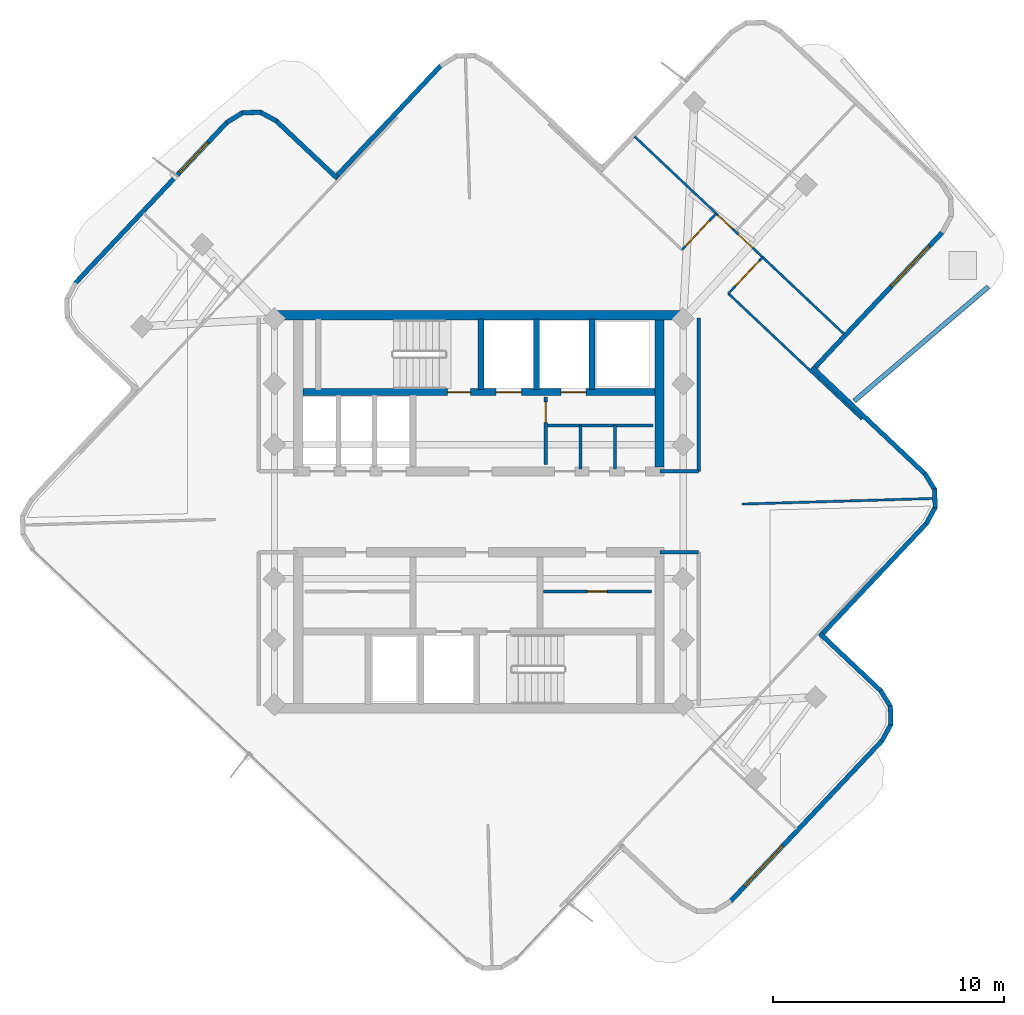
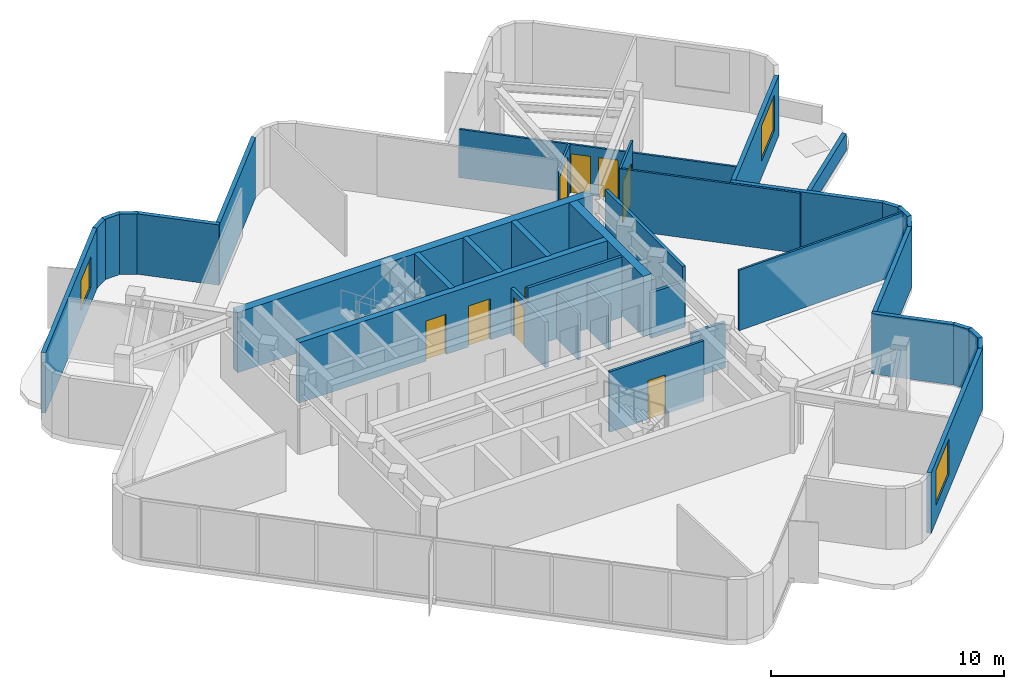
# One storey, part 7 of 10: 37 walls, 9 doors, 3 windows, 12 openings.
"""IFC4 building model written with IfcOpenShell, lengths in metres."""

from ifc_helpers import new_model, si_unit, direction, frame, frame_2d, origin, place, context, subcontext, project, spatial, rectangle, extrude, material, layer, layer_set, type_object, element, fill, save


model = new_model("IFC4")

# Units and contexts
model_context = context("Model", 3, precision=1e-05, world=origin(), true_north=direction((0.0, 1.0)))
body_context = subcontext(model_context, "Body", "Model", "MODEL_VIEW")
ifc_project = project(units=[si_unit("LENGTHUNIT", "METRE"), si_unit("AREAUNIT", "SQUARE_METRE"), si_unit("VOLUMEUNIT", "CUBIC_METRE"), si_unit("PLANEANGLEUNIT", "RADIAN"), si_unit("MASSUNIT", "GRAM", prefix="KILO")], contexts=[model_context])

# Site, building, storey
site_placement = place(None, origin())
site = spatial("IfcSite", under=ifc_project, at=site_placement, CompositionType="ELEMENT")
building_placement = place(site_placement, origin())
building = spatial("IfcBuilding", under=site, at=building_placement, Name="Solmarez Civic Tower", CompositionType="ELEMENT")
storey_placement = place(building_placement, frame((0.0, 0.0, 244.080078125)))
storey = spatial("IfcBuildingStorey", under=building, at=storey_placement, Name="L65", CompositionType="ELEMENT", Elevation=244.080078125)

# Walls
ifc_material_1 = material(Name="Concrete C50/60", Category="concrete")
ifc_layer_1 = layer(ifc_material_1, 0.39990234375)
ifc_layer_set_1 = layer_set([ifc_layer_1], Name="Concrete C50/60")
wall_type_1 = type_object("IfcWallType", Name="WALL-CORE-400", PredefinedType="SHEAR", material=ifc_layer_set_1)
wall_1_placement = place(storey_placement, frame((-8.780029296875, 8.510009765625, 0.0), z_axis=(0.0, 0.0, 1.0), x_axis=(1.0, 0.0, 0.0)))
element("IfcWall", 1, at=wall_1_placement, inside=storey, type_object=wall_type_1, Name="L65 Split-Core Structural Wall NCW-N-L65", PredefinedType="SHEAR", context=body_context, shape_type="SweptSolid", body=[
    extrude(rectangle(XDim=17.56005859375, YDim=0.39990234375, at=frame_2d((8.780029296875, 0.0))), origin(), (0.0, 0.0, 1.0), 3.159912109375),
])
wall_2_placement = place(storey_placement, frame((7.820068359375, 8.31005859375, 0.0), z_axis=(0.0, 0.0, 1.0), x_axis=(0.0, -1.0, 0.0)))
element("IfcWall", 2, at=wall_2_placement, inside=storey, type_object=wall_type_1, Name="L65 Split-Core Structural Wall NCW-E-L65", PredefinedType="SHEAR", context=body_context, shape_type="SweptSolid", body=[
    extrude(rectangle(XDim=6.360107421875, YDim=0.39990234375, at=frame_2d((3.18017578125, 0.0))), origin(), (0.0, 0.0, 1.0), 3.159912109375),
])

# Wall, opening, window
ifc_material_2 = material(Name="Precast concrete C40/50", Category="concrete")
ifc_layer_2 = layer(ifc_material_2, 0.199951171875)
ifc_layer_set_2 = layer_set([ifc_layer_2], Name="Precast concrete C40/50")
wall_type_2 = type_object("IfcWallType", Name="WALL-EXT-200", PredefinedType="SOLIDWALL", material=ifc_layer_set_2)
wall_3_placement = place(storey_placement, frame((-17.488037109375, 9.8779296875, 0.0), z_axis=(0.0, 0.0, 1.0), x_axis=(0.686075032126, 0.727530789928, 0.0)))
wall_3 = element("IfcWall", 3, at=wall_3_placement, inside=storey, type_object=wall_type_2, Name="L65 Exterior Precast Wall 17", PredefinedType="SOLIDWALL", context=body_context, shape_type="SweptSolid", body=[
    extrude(rectangle(XDim=9.623046875, YDim=0.199951171875, at=frame_2d((4.8115234375, 0.0))), origin(), (0.0, 0.0, 1.0), 3.159912109375),
])
opening_1_placement = place(wall_3_placement, frame((6.60595703125, 0.0, 0.85009765625)))
opening_1 = element("IfcOpeningElement", 4, at=opening_1_placement, cuts=wall_3, Name="Opening W-12", PredefinedType="OPENING", context=body_context, shape_type="SweptSolid", body=[
    extrude(rectangle(XDim=1.800048828125, YDim=1.60009765625, at=frame_2d((0.89990234375, 0.800048828125))), frame((0.0, 0.10986328125, 0.0), z_axis=(0.0, -1.0, 0.0), x_axis=(1.0, 0.0, 0.0)), (0.0, 0.0, 1.0), 0.219970703125),
])
ifc_material_3 = material(Name="Solar Control Bronze-Tinted Insulating Glass", Category="glass")
window_type_1 = type_object("IfcWindowType", Name="WIN-1800X1600", PartitioningType="SINGLE_PANEL", PredefinedType="WINDOW", material=ifc_material_3)
window_1_placement = place(opening_1_placement, origin())
window_1 = element("IfcWindow", 5, at=window_1_placement, inside=storey, type_object=window_type_1, Name="L65 Exterior Facade Window 17", OverallHeight=1.60009765625, OverallWidth=1.800048828125, PartitioningType="SINGLE_PANEL", PredefinedType="WINDOW", context=body_context, shape_type="SweptSolid", body=[
    extrude(rectangle(XDim=1.800048828125, YDim=1.60009765625, at=frame_2d((0.89990234375, 0.800048828125))), frame((0.0, 0.030029296875, 0.0), z_axis=(0.0, -1.0, 0.0), x_axis=(1.0, 0.0, 0.0)), (0.0, 0.0, 1.0), 0.06005859375),
])
fill(opening_1, window_1)

# Walls
wall_4_placement = place(storey_placement, frame((-10.924072265625, 16.847900390625, 0.0), z_axis=(0.0, 0.0, 1.0), x_axis=(0.850947362812, 0.525250974033, 0.0)))
element("IfcWall", 6, at=wall_4_placement, inside=storey, type_object=wall_type_2, Name="L65 Exterior Precast Wall 18", PredefinedType="SOLIDWALL", context=body_context, shape_type="SweptSolid", body=[
    extrude(rectangle(XDim=0.838134765625, YDim=0.199951171875, at=frame_2d((0.4189453125, 0.0))), origin(), (0.0, 0.0, 1.0), 3.159912109375),
])
wall_5_placement = place(storey_placement, frame((-10.257080078125, 17.27392578125, 0.0), z_axis=(0.0, 0.0, 1.0), x_axis=(0.999534635062, 0.03050431627, 0.0)))
element("IfcWall", 7, at=wall_5_placement, inside=storey, type_object=wall_type_2, Name="L65 Exterior Precast Wall 19", PredefinedType="SOLIDWALL", context=body_context, shape_type="SweptSolid", body=[
    extrude(rectangle(XDim=0.824462890625, YDim=0.199951171875, at=frame_2d((0.412109375, 0.0))), origin(), (0.0, 0.0, 1.0), 3.159912109375),
])
wall_6_placement = place(storey_placement, frame((-9.47998046875, 17.31005859375, 0.0), z_axis=(0.0, 0.0, 1.0), x_axis=(0.880199822755, -0.474603278561, 0.0)))
element("IfcWall", 8, at=wall_6_placement, inside=storey, type_object=wall_type_2, Name="L65 Exterior Precast Wall 20", PredefinedType="SOLIDWALL", context=body_context, shape_type="SweptSolid", body=[
    extrude(rectangle(XDim=0.83837890625, YDim=0.199951171875, at=frame_2d((0.419189453125, 0.0))), origin(), (0.0, 0.0, 1.0), 3.159912109375),
])
wall_7_placement = place(storey_placement, frame((-8.781982421875, 16.94091796875, 0.0), z_axis=(0.0, 0.0, 1.0), x_axis=(0.727388601412, -0.686225781019, 0.0)))
element("IfcWall", 9, at=wall_7_placement, inside=storey, type_object=wall_type_2, Name="L65 Exterior Precast Wall 21", PredefinedType="SOLIDWALL", context=body_context, shape_type="SweptSolid", body=[
    extrude(rectangle(XDim=3.6416015625, YDim=0.199951171875, at=frame_2d((1.82080078125, 0.0))), origin(), (0.0, 0.0, 1.0), 3.159912109375),
])
wall_8_placement = place(storey_placement, frame((-6.24609375, 14.43896484375, 0.0), z_axis=(0.0, 0.0, 1.0), x_axis=(0.686109803758, 0.727497998064, 0.0)))
element("IfcWall", 10, at=wall_8_placement, inside=storey, type_object=wall_type_2, Name="L65 Exterior Precast Wall 24", PredefinedType="SOLIDWALL", context=body_context, shape_type="SweptSolid", body=[
    extrude(rectangle(XDim=6.742431640625, YDim=0.199951171875, at=frame_2d((3.37109375, 0.0))), origin(), (0.0, 0.0, 1.0), 3.159912109375),
])

# Wall, opening, window
wall_9_placement = place(storey_placement, frame((20.096923828125, 12.1279296875, 0.0), z_axis=(0.0, 0.0, 1.0), x_axis=(-0.686187598971, -0.72742462085, 0.0)))
wall_9 = element("IfcWall", 11, at=wall_9_placement, inside=storey, type_object=wall_type_2, Name="L65 Exterior Precast Wall 39", PredefinedType="SOLIDWALL", context=body_context, shape_type="SweptSolid", body=[
    extrude(rectangle(XDim=8.2412109375, YDim=0.199951171875, at=frame_2d((4.12060546875, 0.0))), origin(), (0.0, 0.0, 1.0), 3.159912109375),
])
opening_2_placement = place(wall_9_placement, frame((0.85009765625, 0.0, 0.85009765625)))
opening_2 = element("IfcOpeningElement", 12, at=opening_2_placement, cuts=wall_9, Name="Opening W-06", PredefinedType="OPENING", context=body_context, shape_type="SweptSolid", body=[
    extrude(rectangle(XDim=2.39990234375, YDim=1.85009765625, at=frame_2d((1.199951171875, 0.925048828125))), frame((0.0, 0.10986328125, 0.0), z_axis=(0.0, -1.0, 0.0), x_axis=(1.0, 0.0, 0.0)), (0.0, 0.0, 1.0), 0.219970703125),
])
window_type_2 = type_object("IfcWindowType", Name="WIN-2400X1850", PartitioningType="SINGLE_PANEL", PredefinedType="WINDOW", material=ifc_material_3)
window_2_placement = place(opening_2_placement, origin())
window_2 = element("IfcWindow", 13, at=window_2_placement, inside=storey, type_object=window_type_2, Name="L65 Exterior Facade Window 39", OverallHeight=1.85009765625, OverallWidth=2.39990234375, PartitioningType="SINGLE_PANEL", PredefinedType="WINDOW", context=body_context, shape_type="SweptSolid", body=[
    extrude(rectangle(XDim=2.39990234375, YDim=1.85009765625, at=frame_2d((1.199951171875, 0.925048828125))), frame((0.0, 0.030029296875, 0.0), z_axis=(0.0, -1.0, 0.0), x_axis=(1.0, 0.0, 0.0)), (0.0, 0.0, 1.0), 0.06005859375),
])
fill(opening_2, window_2)

# Walls
wall_10_placement = place(storey_placement, frame((14.43896484375, 6.24609375, 0.0), z_axis=(0.0, 0.0, 1.0), x_axis=(0.727497998064, -0.686109803758, 0.0)))
element("IfcWall", 14, at=wall_10_placement, inside=storey, type_object=wall_type_2, Name="L65 Exterior Precast Wall 42", PredefinedType="SOLIDWALL", context=body_context, shape_type="SweptSolid", body=[
    extrude(rectangle(XDim=6.742431640625, YDim=0.199951171875, at=frame_2d((3.37109375, 0.0))), origin(), (0.0, 0.0, 1.0), 3.159912109375),
])
wall_11_placement = place(storey_placement, frame((19.31298828125, 1.657958984375, 0.0), z_axis=(0.0, 0.0, 1.0), x_axis=(0.52517019965, -0.850997215859, 0.0)))
element("IfcWall", 15, at=wall_11_placement, inside=storey, type_object=wall_type_2, Name="L65 Exterior Precast Wall 43", PredefinedType="SOLIDWALL", context=body_context, shape_type="SweptSolid", body=[
    extrude(rectangle(XDim=0.837646484375, YDim=0.199951171875, at=frame_2d((0.4189453125, 0.0))), origin(), (0.0, 0.0, 1.0), 3.159912109375),
])
wall_12_placement = place(storey_placement, frame((19.739013671875, 0.990966796875, 0.0), z_axis=(0.0, 0.0, 1.0), x_axis=(0.029024803491, -0.999578691641, 0.0)))
element("IfcWall", 16, at=wall_12_placement, inside=storey, type_object=wall_type_2, Name="L65 Exterior Precast Wall 44", PredefinedType="SOLIDWALL", context=body_context, shape_type="SweptSolid", body=[
    extrude(rectangle(XDim=0.82421875, YDim=0.199951171875, at=frame_2d((0.412109375, 0.0))), origin(), (0.0, 0.0, 1.0), 3.159912109375),
])
wall_13_placement = place(storey_placement, frame((19.77392578125, 0.214111328125, 0.0), z_axis=(0.0, 0.0, 1.0), x_axis=(-0.474603278561, -0.880199822755, 0.0)))
element("IfcWall", 17, at=wall_13_placement, inside=storey, type_object=wall_type_2, Name="L65 Exterior Precast Wall 45", PredefinedType="SOLIDWALL", context=body_context, shape_type="SweptSolid", body=[
    extrude(rectangle(XDim=0.83837890625, YDim=0.199951171875, at=frame_2d((0.419189453125, 0.0))), origin(), (0.0, 0.0, 1.0), 3.159912109375),
])
wall_14_placement = place(storey_placement, frame((19.405029296875, -0.48388671875, 0.0), z_axis=(0.0, 0.0, 1.0), x_axis=(-0.686028756372, -0.727574426042, 0.0)))
element("IfcWall", 18, at=wall_14_placement, inside=storey, type_object=wall_type_2, Name="L65 Exterior Precast Wall 46", PredefinedType="SOLIDWALL", context=body_context, shape_type="SweptSolid", body=[
    extrude(rectangle(XDim=6.740234375, YDim=0.199951171875, at=frame_2d((3.3701171875, 0.0))), origin(), (0.0, 0.0, 1.0), 3.159912109375),
])
wall_15_placement = place(storey_placement, frame((14.778076171875, -5.27490234375, 0.0), z_axis=(0.0, 0.0, 1.0), x_axis=(0.727262285553, -0.686359649172, 0.0)))
element("IfcWall", 19, at=wall_15_placement, inside=storey, type_object=wall_type_2, Name="L65 Exterior Precast Wall 49", PredefinedType="SOLIDWALL", context=body_context, shape_type="SweptSolid", body=[
    extrude(rectangle(XDim=3.640869140625, YDim=0.199951171875, at=frame_2d((1.8203125, 0.0))), origin(), (0.0, 0.0, 1.0), 3.159912109375),
])
wall_16_placement = place(storey_placement, frame((17.39501953125, -7.736083984375, 0.0), z_axis=(0.0, 0.0, 1.0), x_axis=(0.52517019965, -0.850997215859, 0.0)))
element("IfcWall", 20, at=wall_16_placement, inside=storey, type_object=wall_type_2, Name="L65 Exterior Precast Wall 50", PredefinedType="SOLIDWALL", context=body_context, shape_type="SweptSolid", body=[
    extrude(rectangle(XDim=0.837646484375, YDim=0.199951171875, at=frame_2d((0.4189453125, 0.0))), origin(), (0.0, 0.0, 1.0), 3.159912109375),
])
wall_17_placement = place(storey_placement, frame((17.821044921875, -8.403076171875, 0.0), z_axis=(0.0, 0.0, 1.0), x_axis=(0.030208429442, -0.999543621255, 0.0)))
element("IfcWall", 21, at=wall_17_placement, inside=storey, type_object=wall_type_2, Name="L65 Exterior Precast Wall 51", PredefinedType="SOLIDWALL", context=body_context, shape_type="SweptSolid", body=[
    extrude(rectangle(XDim=0.824462890625, YDim=0.199951171875, at=frame_2d((0.412109375, 0.0))), origin(), (0.0, 0.0, 1.0), 3.159912109375),
])
wall_18_placement = place(storey_placement, frame((17.85693359375, -9.179931640625, 0.0), z_axis=(0.0, 0.0, 1.0), x_axis=(-0.474603278561, -0.880199822755, 0.0)))
element("IfcWall", 22, at=wall_18_placement, inside=storey, type_object=wall_type_2, Name="L65 Exterior Precast Wall 52", PredefinedType="SOLIDWALL", context=body_context, shape_type="SweptSolid", body=[
    extrude(rectangle(XDim=0.83837890625, YDim=0.199951171875, at=frame_2d((0.419189453125, 0.0))), origin(), (0.0, 0.0, 1.0), 3.159912109375),
])

# Wall, opening, window
wall_19_placement = place(storey_placement, frame((17.488037109375, -9.8779296875, 0.0), z_axis=(0.0, 0.0, 1.0), x_axis=(-0.686075032126, -0.727530789928, 0.0)))
wall_19 = element("IfcWall", 23, at=wall_19_placement, inside=storey, type_object=wall_type_2, Name="L65 Exterior Precast Wall 53", PredefinedType="SOLIDWALL", context=body_context, shape_type="SweptSolid", body=[
    extrude(rectangle(XDim=9.623046875, YDim=0.199951171875, at=frame_2d((4.8115234375, 0.0))), origin(), (0.0, 0.0, 1.0), 3.159912109375),
])
opening_3_placement = place(wall_19_placement, frame((6.305908203125, 0.0, 0.85009765625)))
opening_3 = element("IfcOpeningElement", 24, at=opening_3_placement, cuts=wall_19, Name="Opening W-06", PredefinedType="OPENING", context=body_context, shape_type="SweptSolid", body=[
    extrude(rectangle(XDim=2.39990234375, YDim=1.85009765625, at=frame_2d((1.199951171875, 0.925048828125))), frame((0.0, 0.10986328125, 0.0), z_axis=(0.0, -1.0, 0.0), x_axis=(1.0, 0.0, 0.0)), (0.0, 0.0, 1.0), 0.219970703125),
])
window_3_placement = place(opening_3_placement, origin())
window_3 = element("IfcWindow", 25, at=window_3_placement, inside=storey, type_object=window_type_2, Name="L65 Exterior Facade Window 53", OverallHeight=1.85009765625, OverallWidth=2.39990234375, PartitioningType="SINGLE_PANEL", PredefinedType="WINDOW", context=body_context, shape_type="SweptSolid", body=[
    extrude(rectangle(XDim=2.39990234375, YDim=1.85009765625, at=frame_2d((1.199951171875, 0.925048828125))), frame((0.0, 0.030029296875, 0.0), z_axis=(0.0, -1.0, 0.0), x_axis=(1.0, 0.0, 0.0)), (0.0, 0.0, 1.0), 0.06005859375),
])
fill(opening_3, window_3)

# Walls
ifc_material_4 = material(Name="Gypsum Board Acoustic Steel-Stud Partition", Category="steel")
ifc_layer_3 = layer(ifc_material_4, 0.14990234375)
ifc_layer_set_3 = layer_set([ifc_layer_3], Name="Gypsum Board Acoustic Steel-Stud Partition")
wall_type_3 = type_object("IfcWallType", Name="WALL-INT-FIRE-150", PredefinedType="PARTITIONING", material=ifc_layer_set_3)
wall_20_placement = place(storey_placement, frame((9.52001953125, 1.75, 0.0), z_axis=(0.0, 0.0, 1.0), x_axis=(0.0, 1.0, 0.0)))
element("IfcWall", 26, at=wall_20_placement, inside=storey, type_object=wall_type_3, Name="L65 Interior Partition CHW-L65-EN1", PredefinedType="PARTITIONING", context=body_context, shape_type="SweptSolid", body=[
    extrude(rectangle(XDim=6.6298828125, YDim=0.14990234375, at=frame_2d((3.31494140625, 0.0))), origin(), (0.0, 0.0, 1.0), 3.159912109375),
])
for number, where, z_axis, x_axis, name in (
    (27, (7.85009765625, 1.75, 0.0), (0.0, 0.0, 1.0), (1.0, 0.0, 0.0), "L65 Interior Partition CHW-L65-EN3"),
    (28, (7.85009765625, -1.75, 0.0), (0.0, 0.0, 1.0), (1.0, 0.0, 0.0), "L65 Interior Partition CHW-L65-ES3"),
):
    element("IfcWall", number, at=place(storey_placement, frame(where, z_axis=z_axis, x_axis=x_axis)), inside=storey, type_object=wall_type_3, Name=name, PredefinedType="PARTITIONING", context=body_context, shape_type="SweptSolid", body=[
        extrude(rectangle(XDim=1.669921875, YDim=0.14990234375, at=frame_2d((0.8349609375, 0.0))), origin(), (0.0, 0.0, 1.0), 2.389892578125),
    ])
ifc_layer_4 = layer(ifc_material_4, 0.10009765625)
ifc_layer_set_4 = layer_set([ifc_layer_4], Name="Gypsum Board Acoustic Steel-Stud Partition")
wall_type_4 = type_object("IfcWallType", Name="WALL-INT-PART-100", PredefinedType="PARTITIONING", material=ifc_layer_set_4)
wall_21_placement = place(storey_placement, frame((11.39501953125, 0.333984375, 0.0), z_axis=(0.0, 0.0, 1.0), x_axis=(0.999571055306, 0.029286607775, 0.0)))
element("IfcWall", 29, at=wall_21_placement, inside=storey, type_object=wall_type_4, Name="L65 Interior Partition PT-L65-QDIV-4", PredefinedType="PARTITIONING", context=body_context, shape_type="SweptSolid", body=[
    extrude(rectangle(XDim=8.294677734375, YDim=0.10009765625, at=frame_2d((4.1474609375, 0.0))), origin(), (0.0, 0.0, 1.0), 3.159912109375),
])
wall_22_placement = place(storey_placement, frame((16.5849609375, 4.001953125, 0.0), z_axis=(0.0, 0.0, 1.0), x_axis=(-0.727485611578, 0.686122937196, 0.0)))
element("IfcWall", 30, at=wall_22_placement, inside=storey, type_object=wall_type_4, Name="L65 Interior Partition PT-L65-E-EFR", PredefinedType="PARTITIONING", context=body_context, shape_type="SweptSolid", body=[
    extrude(rectangle(XDim=7.95068359375, YDim=0.10009765625, at=frame_2d((3.975341796875, 0.0))), origin(), (0.0, 0.0, 1.0), 3.159912109375),
])

# Wall, opening, door
wall_23_placement = place(storey_placement, frame((10.281982421875, 12.9150390625, 0.0), z_axis=(0.0, 0.0, 1.0), x_axis=(-0.685949623464, -0.727649032205, 0.0)))
wall_23 = element("IfcWall", 31, at=wall_23_placement, inside=storey, type_object=wall_type_4, Name="L65 Interior Partition PT-L65-E-SL", PredefinedType="PARTITIONING", context=body_context, shape_type="SweptSolid", body=[
    extrude(rectangle(XDim=2.160400390625, YDim=0.10009765625, at=frame_2d((1.080078125, 0.0))), origin(), (0.0, 0.0, 1.0), 2.530029296875),
])
opening_4_placement = place(wall_23_placement, frame((0.43994140625, 0.0, 0.0)))
opening_4 = element("IfcOpeningElement", 32, at=opening_4_placement, cuts=wall_23, Name="Opening D-16", PredefinedType="OPENING", context=body_context, shape_type="SweptSolid", body=[
    extrude(rectangle(XDim=1.5, YDim=2.1201171875, at=frame_2d((0.75, 1.06005859375))), frame((0.0, 0.06005859375, 0.0), z_axis=(0.0, -1.0, 0.0), x_axis=(1.0, 0.0, 0.0)), (0.0, 0.0, 1.0), 0.1201171875),
])
ifc_material_5 = material(Name="Diplomatic Protocol Reception Door", Category="wood")
door_type_1 = type_object("IfcDoorType", Name="DOOR-INT-1500", OperationType="NOTDEFINED", PredefinedType="DOOR", material=ifc_material_5)
door_1_placement = place(opening_4_placement, origin())
door_1 = element("IfcDoor", 33, at=door_1_placement, inside=storey, type_object=door_type_1, Name="L65 Executive Chamber Public Reception Room East Door", OperationType="SINGLE_SWING_LEFT", OverallHeight=2.1201171875, OverallWidth=1.5, PredefinedType="DOOR", context=body_context, shape_type="SweptSolid", body=[
    extrude(rectangle(XDim=1.5, YDim=2.1201171875, at=frame_2d((0.75, 1.06005859375))), frame((0.0, 0.02490234375, 0.0), z_axis=(0.0, -1.0, 0.0), x_axis=(1.0, 0.0, 0.0)), (0.0, 0.0, 1.0), 0.050048828125),
])
fill(opening_4, door_1)

wall_24_placement = place(storey_placement, frame((10.80810546875, 9.449951171875, 0.0), z_axis=(0.0, 0.0, 1.0), x_axis=(0.686175284747, 0.727436236795, 0.0)))
wall_24 = element("IfcWall", 34, at=wall_24_placement, inside=storey, type_object=wall_type_4, Name="L65 Interior Partition PT-L65-E-SR", PredefinedType="PARTITIONING", context=body_context, shape_type="SweptSolid", body=[
    extrude(rectangle(XDim=2.15966796875, YDim=0.10009765625, at=frame_2d((1.079833984375, 0.0))), origin(), (0.0, 0.0, 1.0), 3.159912109375),
])
opening_5_placement = place(wall_24_placement, frame((0.43994140625, 0.0, 0.0)))
opening_5 = element("IfcOpeningElement", 35, at=opening_5_placement, cuts=wall_24, Name="Opening D-16", PredefinedType="OPENING", context=body_context, shape_type="SweptSolid", body=[
    extrude(rectangle(XDim=1.5, YDim=2.1201171875, at=frame_2d((0.75, 1.06005859375))), frame((0.0, 0.06005859375, 0.0), z_axis=(0.0, -1.0, 0.0), x_axis=(1.0, 0.0, 0.0)), (0.0, 0.0, 1.0), 0.1201171875),
])
door_2_placement = place(opening_5_placement, origin())
door_2 = element("IfcDoor", 36, at=door_2_placement, inside=storey, type_object=door_type_1, Name="L65 Delegation Concierge Room East Door", OperationType="SINGLE_SWING_RIGHT", OverallHeight=2.1201171875, OverallWidth=1.5, PredefinedType="DOOR", context=body_context, shape_type="SweptSolid", body=[
    extrude(rectangle(XDim=1.5, YDim=2.1201171875, at=frame_2d((0.75, 1.06005859375))), frame((0.0, 0.02490234375, 0.0), z_axis=(0.0, -1.0, 0.0), x_axis=(1.0, 0.0, 0.0)), (0.0, 0.0, 1.0), 0.050048828125),
])
fill(opening_5, door_2)

# Wall, openings, doors
wall_25_placement = place(storey_placement, frame((6.75, 16.24609375, 0.0), z_axis=(0.0, 0.0, 1.0), x_axis=(0.727488049341, -0.686120352464, 0.0)))
wall_25 = element("IfcWall", 37, at=wall_25_placement, inside=storey, type_object=wall_type_4, Name="L65 Interior Partition PT-L65-E-END", PredefinedType="PARTITIONING", context=body_context, shape_type="SweptSolid", body=[
    extrude(rectangle(XDim=12.470458984375, YDim=0.10009765625, at=frame_2d((6.2353515625, 0.0))), origin(), (0.0, 0.0, 1.0), 2.530029296875),
])
opening_6_placement = place(wall_25_placement, frame((6.155029296875, 0.0, 0.0)))
opening_6 = element("IfcOpeningElement", 38, at=opening_6_placement, cuts=wall_25, Name="Opening D-14", PredefinedType="OPENING", context=body_context, shape_type="SweptSolid", body=[
    extrude(rectangle(XDim=0.860107421875, YDim=2.0400390625, at=frame_2d((0.43017578125, 1.02001953125))), frame((0.0, 0.06005859375, 0.0), z_axis=(0.0, -1.0, 0.0), x_axis=(1.0, 0.0, 0.0)), (0.0, 0.0, 1.0), 0.1201171875),
])
opening_7_placement = place(wall_25_placement, frame((4.955078125, 0.0, 0.0)))
opening_7 = element("IfcOpeningElement", 39, at=opening_7_placement, cuts=wall_25, Name="Opening D-14", PredefinedType="OPENING", context=body_context, shape_type="SweptSolid", body=[
    extrude(rectangle(XDim=0.860107421875, YDim=2.0400390625, at=frame_2d((0.43017578125, 1.02001953125))), frame((0.0, 0.06005859375, 0.0), z_axis=(0.0, -1.0, 0.0), x_axis=(1.0, 0.0, 0.0)), (0.0, 0.0, 1.0), 0.1201171875),
])
ifc_material_6 = material(Name="Timber Storage and Pantry Door", Category="wood")
door_type_2 = type_object("IfcDoorType", Name="DOOR-INT-850", OperationType="NOTDEFINED", PredefinedType="DOOR", material=ifc_material_6)
door_3_placement = place(opening_6_placement, origin())
door_3 = element("IfcDoor", 40, at=door_3_placement, inside=storey, type_object=door_type_2, Name="L65 Ministry Conference Room Sixth East Door", OperationType="SINGLE_SWING_RIGHT", OverallHeight=2.0400390625, OverallWidth=0.860107421875, PredefinedType="DOOR", context=body_context, shape_type="SweptSolid", body=[
    extrude(rectangle(XDim=0.860107421875, YDim=2.0400390625, at=frame_2d((0.43017578125, 1.02001953125))), frame((0.0, 0.02490234375, 0.0), z_axis=(0.0, -1.0, 0.0), x_axis=(1.0, 0.0, 0.0)), (0.0, 0.0, 1.0), 0.050048828125),
])
fill(opening_6, door_3)
door_4_placement = place(opening_7_placement, origin())
door_4 = element("IfcDoor", 41, at=door_4_placement, inside=storey, type_object=door_type_2, Name="L65 Security Control Room Fifth East Door", OperationType="SINGLE_SWING_LEFT", OverallHeight=2.0400390625, OverallWidth=0.860107421875, PredefinedType="DOOR", context=body_context, shape_type="SweptSolid", body=[
    extrude(rectangle(XDim=0.860107421875, YDim=2.0400390625, at=frame_2d((0.43017578125, 1.02001953125))), frame((0.0, 0.02490234375, 0.0), z_axis=(0.0, -1.0, 0.0), x_axis=(1.0, 0.0, 0.0)), (0.0, 0.0, 1.0), 0.050048828125),
])
fill(opening_7, door_4)

# Wall, opening, door
ifc_layer_5 = layer(ifc_material_4, 0.1201171875)
ifc_layer_set_5 = layer_set([ifc_layer_5], Name="Gypsum Board Acoustic Steel-Stud Partition")
wall_type_5 = type_object("IfcWallType", Name="WALL-INT-PART-120", PredefinedType="PARTITIONING", material=ifc_layer_set_5)
wall_26_placement = place(storey_placement, frame((2.800048828125, -3.449951171875, 0.0), z_axis=(0.0, 0.0, 1.0), x_axis=(1.0, 0.0, 0.0)))
wall_26 = element("IfcWall", 42, at=wall_26_placement, inside=storey, type_object=wall_type_5, Name="L65 Interior Partition PT-FPLL-L65", PredefinedType="PARTITIONING", context=body_context, shape_type="SweptSolid", body=[
    extrude(rectangle(XDim=4.679931640625, YDim=0.1201171875, at=frame_2d((2.33984375, 0.0))), origin(), (0.0, 0.0, 1.0), 3.159912109375),
])
opening_8_placement = place(wall_26_placement, frame((1.89990234375, 0.0, 0.0)))
opening_8 = element("IfcOpeningElement", 43, at=opening_8_placement, cuts=wall_26, Name="Opening D-14", PredefinedType="OPENING", context=body_context, shape_type="SweptSolid", body=[
    extrude(rectangle(XDim=0.860107421875, YDim=2.0400390625, at=frame_2d((0.43017578125, 1.02001953125))), frame((0.0, 0.070068359375, 0.0), z_axis=(0.0, -1.0, 0.0), x_axis=(1.0, 0.0, 0.0)), (0.0, 0.0, 1.0), 0.14013671875),
])
door_5_placement = place(opening_8_placement, origin())
door_5 = element("IfcDoor", 44, at=door_5_placement, inside=storey, type_object=door_type_2, Name="L65 Records Filing Room Door", OperationType="SINGLE_SWING_LEFT", OverallHeight=2.0400390625, OverallWidth=0.860107421875, PredefinedType="DOOR", context=body_context, shape_type="SweptSolid", body=[
    extrude(rectangle(XDim=0.860107421875, YDim=2.0400390625, at=frame_2d((0.43017578125, 1.02001953125))), frame((0.0, 0.02490234375, 0.0), z_axis=(0.0, -1.0, 0.0), x_axis=(1.0, 0.0, 0.0)), (0.0, 0.0, 1.0), 0.050048828125),
])
fill(opening_8, door_5)

ifc_layer_6 = layer(ifc_material_4, 0.159912109375)
ifc_layer_set_6 = layer_set([ifc_layer_6], Name="Gypsum Board Acoustic Steel-Stud Partition")
wall_type_6 = type_object("IfcWallType", Name="WALL-INT-SHAFT-160", PredefinedType="PARTITIONING", material=ifc_layer_set_6)
wall_27_placement = place(storey_placement, frame((2.89990234375, 2.0400390625, 0.0), z_axis=(0.0, 0.0, 1.0), x_axis=(0.0, 1.0, 0.0)))
wall_27 = element("IfcWall", 45, at=wall_27_placement, inside=storey, type_object=wall_type_6, Name="L65 Interior Partition SHW-NL2-L65", PredefinedType="PARTITIONING", context=body_context, shape_type="SweptSolid", body=[
    extrude(rectangle(XDim=2.93994140625, YDim=0.159912109375, at=frame_2d((1.469970703125, 0.0))), origin(), (0.0, 0.0, 1.0), 2.389892578125),
])
opening_9_placement = place(wall_27_placement, frame((1.820068359375, 0.0, 0.0)))
opening_9 = element("IfcOpeningElement", 46, at=opening_9_placement, cuts=wall_27, Name="Opening D-09", PredefinedType="OPENING", context=body_context, shape_type="SweptSolid", body=[
    extrude(rectangle(XDim=0.89990234375, YDim=2.06005859375, at=frame_2d((0.449951171875, 1.030029296875))), frame((0.0, 0.08984375, 0.0), z_axis=(0.0, -1.0, 0.0), x_axis=(1.0, 0.0, 0.0)), (0.0, 0.0, 1.0), 0.179931640625),
])
ifc_material_7 = material(Name="Fire-Rated Service Core Door", Category="wood")
door_type_3 = type_object("IfcDoorType", Name="DOOR-FD60-900", OperationType="NOTDEFINED", PredefinedType="DOOR", material=ifc_material_7)
door_6_placement = place(opening_9_placement, origin())
door_6 = element("IfcDoor", 47, at=door_6_placement, inside=storey, type_object=door_type_3, Name="L65 Service Lift Lobby Door", OperationType="SINGLE_SWING_LEFT", OverallHeight=2.06005859375, OverallWidth=0.89990234375, PredefinedType="DOOR", context=body_context, shape_type="SweptSolid", body=[
    extrude(rectangle(XDim=0.89990234375, YDim=2.06005859375, at=frame_2d((0.449951171875, 1.030029296875))), frame((0.0, 0.02490234375, 0.0), z_axis=(0.0, -1.0, 0.0), x_axis=(1.0, 0.0, 0.0)), (0.0, 0.0, 1.0), 0.050048828125),
])
fill(opening_9, door_6)

# Walls
ifc_layer_7 = layer(ifc_material_4, 0.137939453125)
ifc_layer_set_7 = layer_set([ifc_layer_7], Name="Gypsum Board Acoustic Steel-Stud Partition")
wall_type_7 = type_object("IfcWallType", Name="WALL-INT-WET-140", PredefinedType="PARTITIONING", material=ifc_layer_set_7)
wall_28_placement = place(storey_placement, frame((2.89990234375, 3.739990234375, 0.0), z_axis=(0.0, 0.0, 1.0), x_axis=(1.0, 0.0, 0.0)))
element("IfcWall", 48, at=wall_28_placement, inside=storey, type_object=wall_type_7, Name="L65 Interior Partition SHW-SVH-L65", PredefinedType="PARTITIONING", context=body_context, shape_type="SweptSolid", body=[
    extrude(rectangle(XDim=4.650146484375, YDim=0.137939453125, at=frame_2d((2.3251953125, 0.0))), origin(), (0.0, 0.0, 1.0), 3.159912109375),
])
for number, where, z_axis, x_axis, name in (
    (49, (4.39990234375, 1.85009765625, 0.0), (0.0, 0.0, 1.0), (0.0, 1.0, 0.0), "L65 Interior Partition PT-NCSV1-L65"),
    (50, (5.89990234375, 1.85009765625, 0.0), (0.0, 0.0, 1.0), (0.0, 1.0, 0.0), "L65 Interior Partition PT-NCSV2-L65"),
):
    element("IfcWall", number, at=place(storey_placement, frame(where, z_axis=z_axis, x_axis=x_axis)), inside=storey, type_object=wall_type_7, Name=name, PredefinedType="PARTITIONING", context=body_context, shape_type="SweptSolid", body=[
        extrude(rectangle(XDim=1.889892578125, YDim=0.137939453125, at=frame_2d((0.94482421875, 0.0))), origin(), (0.0, 0.0, 1.0), 2.389892578125),
    ])
ifc_layer_8 = layer(ifc_material_2, 0.199951171875)
ifc_layer_set_8 = layer_set([ifc_layer_8], Name="Precast concrete C40/50")
wall_type_8 = type_object("IfcWallType", Name="WALL-PARAPET-200", PredefinedType="PARAPET", material=ifc_layer_set_8)
wall_29_placement = place(storey_placement, frame((16.2548828125, 4.800048828125, 0.0), z_axis=(0.0, 0.0, 1.0), x_axis=(0.761508142909, 0.64815534271, 0.0)))
element("IfcWall", 51, at=wall_29_placement, inside=storey, type_object=wall_type_8, Name="L65 Roof Perimeter Parapet 9", PredefinedType="PARAPET", context=body_context, shape_type="SweptSolid", body=[
    extrude(rectangle(XDim=7.630859375, YDim=0.199951171875, at=frame_2d((3.8154296875, 0.0))), origin(), (0.0, 0.0, 1.0), 0.8798828125),
])

# Wall, openings, doors
ifc_layer_9 = layer(ifc_material_1, 0.300048828125)
ifc_layer_set_9 = layer_set([ifc_layer_9], Name="Concrete C50/60")
wall_type_9 = type_object("IfcWallType", Name="WALL-STR-300", PredefinedType="SOLIDWALL", material=ifc_layer_set_9)
wall_30_placement = place(storey_placement, frame((7.6201171875, 5.179931640625, 0.0), z_axis=(0.0, 0.0, 1.0), x_axis=(-1.0, 0.0, 0.0)))
wall_30 = element("IfcWall", 52, at=wall_30_placement, inside=storey, type_object=wall_type_9, Name="L65 Split-Core Structural Wall NCW-M-L65", PredefinedType="SOLIDWALL", context=body_context, shape_type="SweptSolid", body=[
    extrude(rectangle(XDim=15.240234375, YDim=0.300048828125, at=frame_2d((7.6201171875, 0.0))), origin(), (0.0, 0.0, 1.0), 3.159912109375),
])
opening_10_placement = place(wall_30_placement, frame((5.77001953125, 0.0, 0.0)))
opening_10 = element("IfcOpeningElement", 53, at=opening_10_placement, cuts=wall_30, Name="Opening LD-02", PredefinedType="OPENING", context=body_context, shape_type="SweptSolid", body=[
    extrude(rectangle(XDim=1.10009765625, YDim=2.14990234375, at=frame_2d((0.550048828125, 1.074951171875))), frame((0.0, 0.159912109375, 0.0), z_axis=(0.0, -1.0, 0.0), x_axis=(1.0, 0.0, 0.0)), (0.0, 0.0, 1.0), 0.320068359375),
])
opening_11_placement = place(wall_30_placement, frame((2.969970703125, 0.0, 0.0)))
opening_11 = element("IfcOpeningElement", 54, at=opening_11_placement, cuts=wall_30, Name="Opening LD-03", PredefinedType="OPENING", context=body_context, shape_type="SweptSolid", body=[
    extrude(rectangle(XDim=1.10009765625, YDim=2.14990234375, at=frame_2d((0.550048828125, 1.074951171875))), frame((0.0, 0.159912109375, 0.0), z_axis=(0.0, -1.0, 0.0), x_axis=(1.0, 0.0, 0.0)), (0.0, 0.0, 1.0), 0.320068359375),
])
opening_12_placement = place(wall_30_placement, frame((7.969970703125, 0.0, 0.0)))
opening_12 = element("IfcOpeningElement", 55, at=opening_12_placement, cuts=wall_30, Name="Opening D-05", PredefinedType="OPENING", context=body_context, shape_type="SweptSolid", body=[
    extrude(rectangle(XDim=1.0, YDim=2.10009765625, at=frame_2d((0.5, 1.050048828125))), frame((0.0, 0.159912109375, 0.0), z_axis=(0.0, -1.0, 0.0), x_axis=(1.0, 0.0, 0.0)), (0.0, 0.0, 1.0), 0.320068359375),
])
ifc_material_8 = material(Name="Fire-Rated Stairwell Exit Door", Category="wood")
door_type_4 = type_object("IfcDoorType", Name="DOOR-FD90-1000", OperationType="NOTDEFINED", PredefinedType="DOOR", material=ifc_material_8)
door_7_placement = place(opening_12_placement, origin())
door_7 = element("IfcDoor", 56, at=door_7_placement, inside=storey, type_object=door_type_4, Name="L65 North Exit Stair Door ST-1", OperationType="SINGLE_SWING_RIGHT", OverallHeight=2.10009765625, OverallWidth=1.0, PredefinedType="DOOR", context=body_context, shape_type="SweptSolid", body=[
    extrude(rectangle(XDim=1.0, YDim=2.10009765625, at=frame_2d((0.5, 1.050048828125))), frame((0.0, 0.02490234375, 0.0), z_axis=(0.0, -1.0, 0.0), x_axis=(1.0, 0.0, 0.0)), (0.0, 0.0, 1.0), 0.050048828125),
])
fill(opening_12, door_7)
ifc_material_9 = material(Name="Stainless Firefighting Lift Landing Sliding Door", Category="aluminium")
door_type_5 = type_object("IfcDoorType", Name="DOOR-LD-FF-1100", OperationType="DOUBLE_DOOR_SLIDING", PredefinedType="DOOR", material=ifc_material_9)
door_8_placement = place(opening_10_placement, origin())
door_8 = element("IfcDoor", 57, at=door_8_placement, inside=storey, type_object=door_type_5, Name="L65 Firefighting Lift Landing Door FFL-1", OperationType="DOUBLE_DOOR_SLIDING", OverallHeight=2.14990234375, OverallWidth=1.10009765625, PredefinedType="DOOR", context=body_context, shape_type="SweptSolid", body=[
    extrude(rectangle(XDim=1.10009765625, YDim=2.14990234375, at=frame_2d((0.550048828125, 1.074951171875))), frame((0.0, 0.02490234375, 0.0), z_axis=(0.0, -1.0, 0.0), x_axis=(1.0, 0.0, 0.0)), (0.0, 0.0, 1.0), 0.050048828125),
])
fill(opening_10, door_8)
ifc_material_10 = material(Name="Stainless Stretcher Lift Landing Sliding Door", Category="aluminium")
door_type_6 = type_object("IfcDoorType", Name="DOOR-LD-SV-1100", OperationType="DOUBLE_DOOR_SLIDING", PredefinedType="DOOR", material=ifc_material_10)
door_9_placement = place(opening_11_placement, origin())
door_9 = element("IfcDoor", 58, at=door_9_placement, inside=storey, type_object=door_type_6, Name="L65 Service Stretcher Lift Landing Door SVL-1", OperationType="DOUBLE_DOOR_SLIDING", OverallHeight=2.14990234375, OverallWidth=1.10009765625, PredefinedType="DOOR", context=body_context, shape_type="SweptSolid", body=[
    extrude(rectangle(XDim=1.10009765625, YDim=2.14990234375, at=frame_2d((0.550048828125, 1.074951171875))), frame((0.0, 0.02490234375, 0.0), z_axis=(0.0, -1.0, 0.0), x_axis=(1.0, 0.0, 0.0)), (0.0, 0.0, 1.0), 0.050048828125),
])
fill(opening_11, door_9)

# Walls
for number, where, z_axis, x_axis, name in (
    (59, (0.10009765625, 5.300048828125, 0.0), (0.0, 0.0, 1.0), (0.0, 1.0, 0.0), "L65 Split-Core Structural Wall SHW-N1-L65"),
    (60, (2.5, 5.300048828125, 0.0), (0.0, 0.0, 1.0), (0.0, 1.0, 0.0), "L65 Split-Core Structural Wall SHW-N2-L65"),
    (61, (4.89990234375, 5.300048828125, 0.0), (0.0, 0.0, 1.0), (0.0, 1.0, 0.0), "L65 Split-Core Structural Wall SHW-N3-L65"),
):
    element("IfcWall", number, at=place(storey_placement, frame(where, z_axis=z_axis, x_axis=x_axis)), inside=storey, type_object=wall_type_9, Name=name, PredefinedType="SOLIDWALL", context=body_context, shape_type="SweptSolid", body=[
        extrude(rectangle(XDim=3.0400390625, YDim=0.25, at=frame_2d((1.52001953125, 0.0))), origin(), (0.0, 0.0, 1.0), 3.159912109375),
    ])

save(model, "model.ifc")
